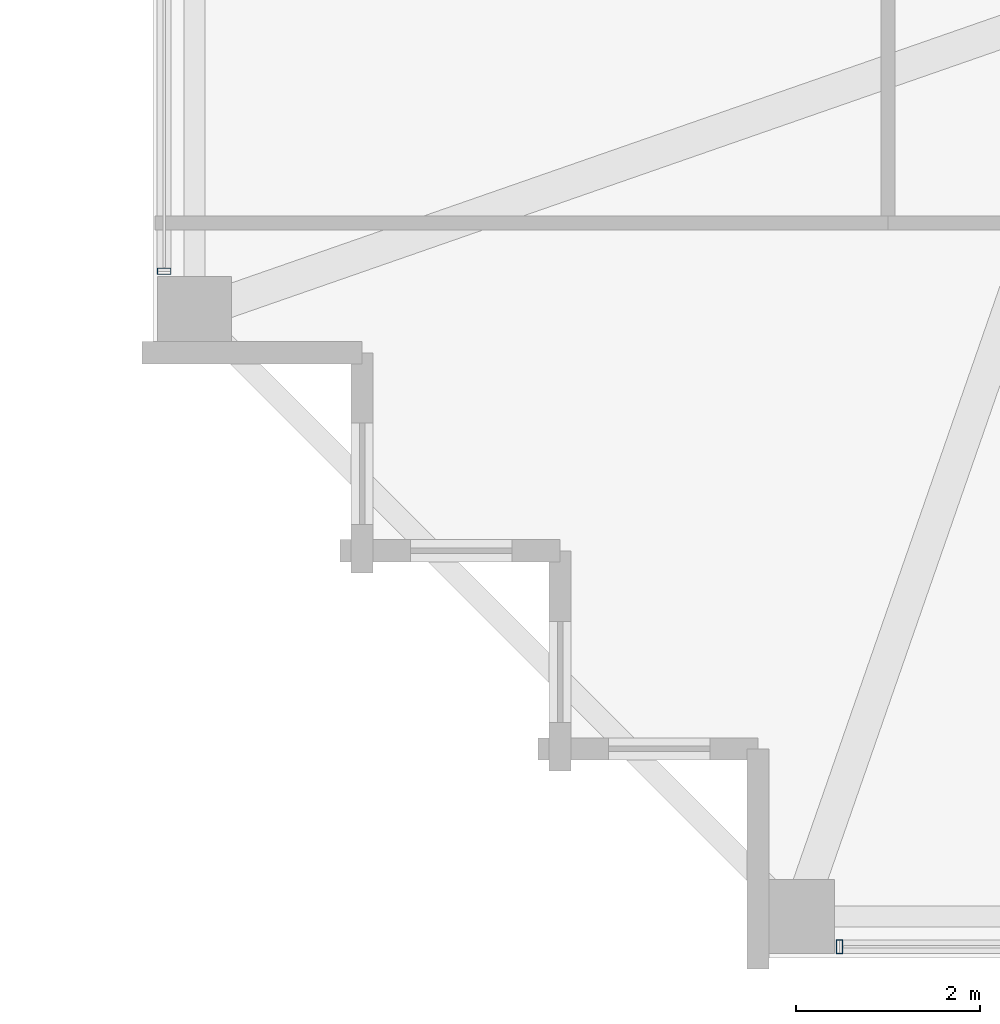
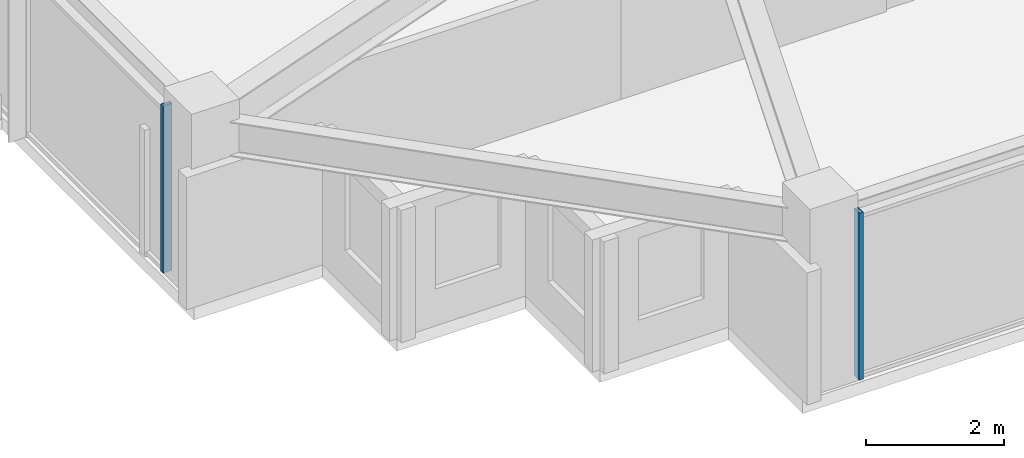
# One storey, part 2 of 34: 2 members, 2 elements without a shape of their own.
"""IFC4 building model written with IfcOpenShell, lengths in metres."""

import ifcopenshell
import ifcopenshell.guid

model = None  # the IFC model being written
_history = None  # IfcOwnerHistory: only IFC2X3 demands one
_inside = {}  # id of a spatial element -> (the spatial element, [elements in it])
_under = {}  # id of a project, library or spatial element -> (it, [spatial elements below it])
_declared = {}  # id of a project -> (the project, [libraries it declares])
_typed = {}  # id of a type object -> (the type object, [elements of that type])
_made_of = {}  # id of a material, layer set ... -> (it, [elements and type objects made of it])


def new_model(schema):
    """Start an empty IFC model of exactly this schema.

    Asked for "IFC4X3", IfcOpenShell would pick the latest addendum, in which some entities
    have other attributes; the version numbers below select the first issue.
    IFC2X3 requires an IfcOwnerHistory on every rooted entity: one is made here for all.
    """
    global model, _history
    if schema == "IFC4X3":
        model = ifcopenshell.file(schema_version=(4, 3, 0, 0))
    else:
        model = ifcopenshell.file(schema=schema)
    _inside.clear()
    _under.clear()
    _declared.clear()
    _typed.clear()
    _made_of.clear()
    _history = None
    if model.schema == "IFC2X3":
        org = make("IfcOrganization", Name="unknown")
        user = make(
            "IfcPersonAndOrganization",
            ThePerson=make("IfcPerson", FamilyName="unknown"),
            TheOrganization=org,
        )
        app = make(
            "IfcApplication",
            ApplicationDeveloper=org,
            Version="unknown",
            ApplicationFullName="unknown",
            ApplicationIdentifier="unknown",
        )
        _history = make(
            "IfcOwnerHistory",
            OwningUser=user,
            OwningApplication=app,
            ChangeAction="ADDED",
            CreationDate=0,
        )
    return model


def make(cls, **values):
    """One entity of the class cls with the attributes given. An attribute that is None is left unset."""
    return model.create_entity(
        cls, **{name: value for name, value in values.items() if value is not None}
    )


def rooted(cls, **values):
    """An entity with a GlobalId (a new one), such as an element, a storey or a relation."""
    return make(cls, GlobalId=ifcopenshell.guid.new(), OwnerHistory=_history, **values)


def si_unit(unit_type, name, prefix=None):
    """IfcSIUnit, for example si_unit("LENGTHUNIT", "METRE", prefix="MILLI")."""
    return make("IfcSIUnit", UnitType=unit_type, Prefix=prefix, Name=name)


def assignment(units):
    """IfcUnitAssignment: the units of a project."""
    return None if units is None else make("IfcUnitAssignment", Units=units)


def point(xyz):
    """IfcCartesianPoint."""
    return None if xyz is None else make("IfcCartesianPoint", Coordinates=xyz)


def direction(xyz):
    """IfcDirection."""
    return None if xyz is None else make("IfcDirection", DirectionRatios=xyz)


def frame(location, z_axis=None, x_axis=None):
    """IfcAxis2Placement3D, a coordinate frame: its origin and axes. An axis left out is left unset."""
    return make(
        "IfcAxis2Placement3D",
        Location=point(location),
        Axis=direction(z_axis),
        RefDirection=direction(x_axis),
    )


def frame_2d(location, x_axis=None):
    """IfcAxis2Placement2D, a coordinate frame in the plane: its origin and x axis."""
    return make(
        "IfcAxis2Placement2D", Location=point(location), RefDirection=direction(x_axis)
    )


def origin():
    """The frame at (0, 0, 0) with its axes left unset."""
    return frame((0.0, 0.0, 0.0))


def origin_2d():
    """The frame at (0, 0) in the plane with its x axis left unset."""
    return frame_2d((0.0, 0.0))


def place(relative_to, where):
    """IfcLocalPlacement: puts the frame where relative to a parent placement (None: the world)."""
    return make(
        "IfcLocalPlacement", PlacementRelTo=relative_to, RelativePlacement=where
    )


def context(
    kind, dimensions, precision=None, world=None, true_north=None, identifier=None
):
    """IfcGeometricRepresentationContext, for example the 3D "Model" context."""
    return make(
        "IfcGeometricRepresentationContext",
        ContextIdentifier=identifier,
        ContextType=kind,
        CoordinateSpaceDimension=dimensions,
        Precision=precision,
        WorldCoordinateSystem=world,
        TrueNorth=true_north,
    )


def subcontext(parent, identifier, kind, view, scale=None):
    """IfcGeometricRepresentationSubContext, for example "Body" below "Model"."""
    return make(
        "IfcGeometricRepresentationSubContext",
        ContextIdentifier=identifier,
        ContextType=kind,
        ParentContext=parent,
        TargetScale=scale,
        TargetView=view,
    )


def project(units=None, contexts=None):
    """IfcProject with its units and contexts."""
    return rooted(
        "IfcProject",
        Name="project",
        RepresentationContexts=contexts,
        UnitsInContext=assignment(units),
    )


def spatial(cls, under=None, at=None, **own):
    """A site, building, storey or space (cls), placed at a placement, below another one or the project."""
    s = rooted(cls, ObjectPlacement=at, **own)
    if under is not None:
        _under.setdefault(under.id(), (under, []))[1].append(s)
    return s


def profile(cls, at=None, kind="AREA", **sizes):
    """A parametric profile (cls). Its sizes go by their IFC names, for example OverallWidth=200.0."""
    return make(cls, ProfileType=kind, Position=at, **sizes)


def hollow_rectangle(**sizes):
    """IfcRectangleHollowProfileDef."""
    return profile("IfcRectangleHollowProfileDef", **sizes)


def extrude(swept, where, along, depth):
    """IfcExtrudedAreaSolid: the profile swept, set in the frame where, extruded along a direction by depth."""
    return make(
        "IfcExtrudedAreaSolid",
        SweptArea=swept,
        Position=where,
        ExtrudedDirection=direction(along),
        Depth=depth,
    )


def shape(context_of_items, identifier, shape_type, items):
    """IfcShapeRepresentation: the items that make up one representation, for example the "Body"."""
    return make(
        "IfcShapeRepresentation",
        ContextOfItems=context_of_items,
        RepresentationIdentifier=identifier,
        RepresentationType=shape_type,
        Items=items,
    )


def material(Name=None, Category=None):
    """IfcMaterial."""
    return make("IfcMaterial", Name=Name, Category=Category)


def material_profile(
    of_material, cross_section, Name=None, Category=None, Priority=None
):
    """IfcMaterialProfile: a cross section and its material."""
    return make(
        "IfcMaterialProfile",
        Name=Name,
        Material=of_material,
        Profile=cross_section,
        Priority=Priority,
        Category=Category,
    )


def profile_set(profiles, Name=None, composite=None):
    """IfcMaterialProfileSet."""
    return make(
        "IfcMaterialProfileSet",
        Name=Name,
        MaterialProfiles=profiles,
        CompositeProfile=composite,
    )


def made_of(thing, what):
    """Note that an element or type object is made of a material, layer set ...; save() writes the relation."""
    if what is not None:
        _made_of.setdefault(what.id(), (what, []))[1].append(thing)
    return thing


def type_object(cls, material=None, **own):
    """A type object (cls), such as IfcWallType, which elements share."""
    return made_of(rooted(cls, **own), material)


def element(
    cls,
    number,
    at=None,
    inside=None,
    cuts=None,
    type_object=None,
    material=None,
    context=None,
    identifier="Body",
    shape_type=None,
    held_by="IfcProductDefinitionShape",
    body=None,
    shapes=None,
    **own,
):
    """One element of the class cls, such as IfcWall. Its Tag is "e" and its number.

    at: its placement. inside: the storey or other place that contains it. cuts: it is an
    opening in that element (IfcRelVoidsElement). A single representation is given by context,
    identifier, shape_type and body (its items); several are given by shapes. held_by: the class
    of the entity that holds the representations. save() writes the other relations.
    """
    e = rooted(cls, Tag="e%d" % number, ObjectPlacement=at, **own)
    if body is not None:
        shapes = [shape(context, identifier, shape_type, body)]
    if shapes is not None:
        e.Representation = make(held_by, Representations=shapes)
    if inside is not None:
        _inside.setdefault(inside.id(), (inside, []))[1].append(e)
    if cuts is not None:
        rooted(
            "IfcRelVoidsElement", RelatingBuildingElement=cuts, RelatedOpeningElement=e
        )
    if type_object is not None:
        _typed.setdefault(type_object.id(), (type_object, []))[1].append(e)
    return made_of(e, material)


def aggregate(whole, parts):
    """IfcRelAggregates: a whole, such as a stair, and the parts it consists of."""
    return rooted("IfcRelAggregates", RelatingObject=whole, RelatedObjects=parts)


def save(model, path):
    """Write the relations noted so far, then the file.

    IfcRelAggregates (storeys below a building ...), IfcRelContainedInSpatialStructure (elements
    in a storey), IfcRelDefinesByType, IfcRelAssociatesMaterial and IfcRelDeclares: one each for
    every whole, place, type object, material and project.
    """
    for whole, parts in _under.values():
        aggregate(whole, parts)
    for where, things in _inside.values():
        rooted(
            "IfcRelContainedInSpatialStructure",
            RelatedElements=things,
            RelatingStructure=where,
        )
    for kind, things in _typed.values():
        rooted("IfcRelDefinesByType", RelatedObjects=things, RelatingType=kind)
    for what, things in _made_of.values():
        rooted("IfcRelAssociatesMaterial", RelatedObjects=things, RelatingMaterial=what)
    for by, libraries in _declared.values():
        rooted("IfcRelDeclares", RelatingContext=by, RelatedDefinitions=libraries)
    model.write(path)


model = new_model("IFC4")

# Units and contexts
model_context = context("Model", 3, precision=1e-05, world=origin(), true_north=direction((0.0, 1.0)))
body_context = subcontext(model_context, "Body", "Model", "MODEL_VIEW")
ifc_project = project(units=[si_unit("LENGTHUNIT", "METRE"), si_unit("AREAUNIT", "SQUARE_METRE"), si_unit("VOLUMEUNIT", "CUBIC_METRE"), si_unit("PLANEANGLEUNIT", "RADIAN"), si_unit("MASSUNIT", "GRAM", prefix="KILO")], contexts=[model_context])

# Site, building, storey
site_placement = place(None, origin())
site = spatial("IfcSite", under=ifc_project, at=site_placement, CompositionType="ELEMENT")
building_placement = place(site_placement, origin())
building = spatial("IfcBuilding", under=site, at=building_placement, Name="Kolvaren Belvedere", CompositionType="ELEMENT")
storey_placement = place(building_placement, frame((0.0, 0.0, 229.5)))
storey = spatial("IfcBuildingStorey", under=building, at=storey_placement, Name="L67", CompositionType="ELEMENT", Elevation=229.5)

# Curtain wall, member
ifc_material_1 = material(Name="Anodised pale-metal aluminium AA 6063-T6", Category="aluminium")
curtain_wall_type = type_object("IfcCurtainWallType", Name="CW-Z5-HIGH", PredefinedType="NOTDEFINED", material=ifc_material_1)
curtain_wall_1_placement = place(storey_placement, origin())
curtain_wall_1 = element("IfcCurtainWall", 1, at=curtain_wall_1_placement, inside=storey, type_object=curtain_wall_type, Name="L67 Unitised Curtain Wall FCW-L67-S-B3", PredefinedType="NOTDEFINED")
ifc_material_2 = material(Name="Anodised pale-metal aluminium AA 6063-T6", Category="aluminium")
ifc_material_profile = material_profile(ifc_material_2, hollow_rectangle(XDim=0.070068359375, YDim=0.14990234375, WallThickness=0.004150390625, at=origin_2d()), Name="ALU-MUL-150X70")
ifc_profile_set = profile_set([ifc_material_profile], Name="Anodised pale-metal aluminium AA 6063-T6")
member_type = type_object("IfcMemberType", Name="CW-MUL-150", PredefinedType="MULLION", material=ifc_profile_set)
member_1_placement = place(storey_placement, frame((-12.945068359375, -20.280029296875, 0.0), z_axis=(0.0, 0.0, 1.0), x_axis=(1.0, 0.0, 0.0)))
member_1 = element("IfcMember", 2, at=member_1_placement, type_object=member_type, Name="FCW-L67-S-B3 Unitised Mullion 3", PredefinedType="MULLION", context=body_context, shape_type="SweptSolid", body=[
    extrude(hollow_rectangle(XDim=0.070068359375, YDim=0.14990234375, WallThickness=0.004150390625, at=origin_2d()), origin(), (0.0, 0.0, 1.0), 2.949951171875),
])
aggregate(curtain_wall_1, [member_1])

curtain_wall_2_placement = place(storey_placement, origin())
curtain_wall_2 = element("IfcCurtainWall", 3, at=curtain_wall_2_placement, inside=storey, type_object=curtain_wall_type, Name="L67 Unitised Curtain Wall FCW-L67-W1-B1", PredefinedType="NOTDEFINED")
member_2_placement = place(storey_placement, frame((-20.280029296875, -12.945068359375, 0.0), z_axis=(0.0, 0.0, 1.0), x_axis=(0.0, 1.0, 0.0)))
member_2 = element("IfcMember", 4, at=member_2_placement, type_object=member_type, Name="FCW-L67-W1-B1 Unitised Mullion 1", PredefinedType="MULLION", context=body_context, shape_type="SweptSolid", body=[
    extrude(hollow_rectangle(XDim=0.070068359375, YDim=0.14990234375, WallThickness=0.004150390625, at=origin_2d()), origin(), (0.0, 0.0, 1.0), 2.949951171875),
])
aggregate(curtain_wall_2, [member_2])

save(model, "model.ifc")
